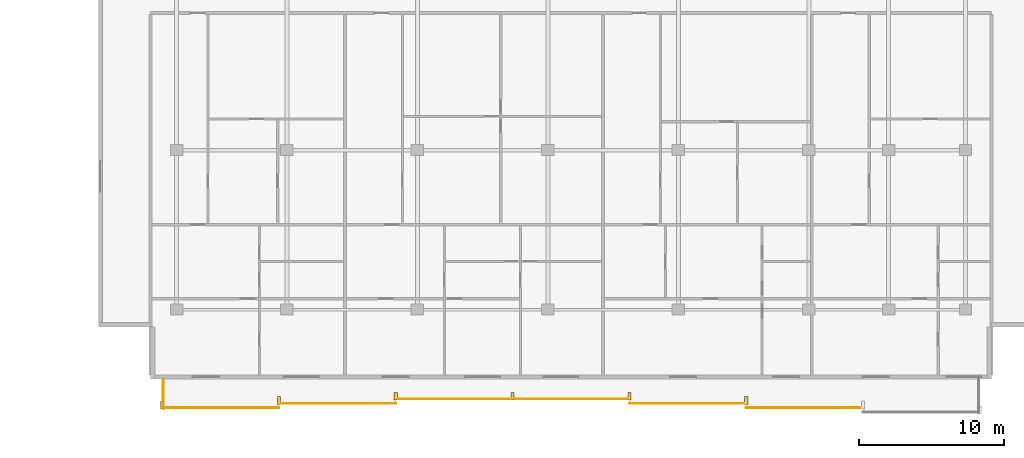
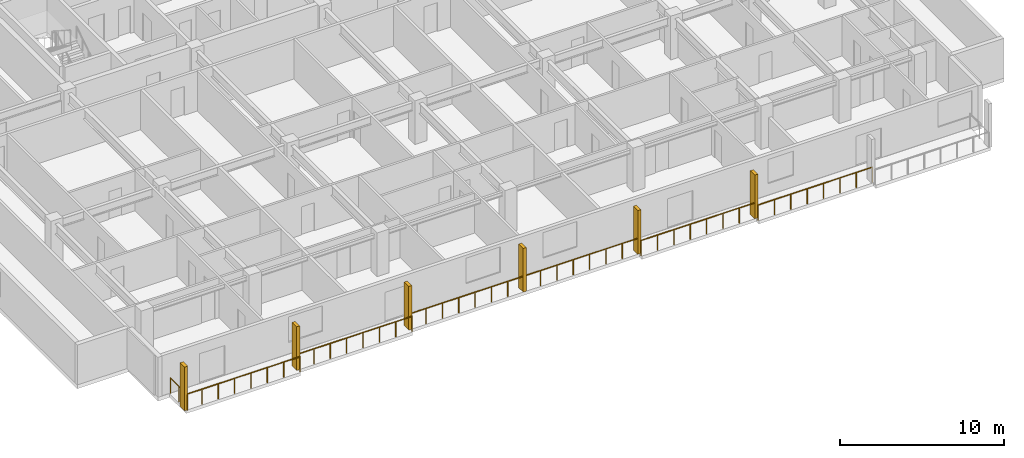
# One storey, part 18 of 22: 6 railings, 6 shading devices.
"""IFC4 building model written with IfcOpenShell, lengths in metres."""

import ifcopenshell
import ifcopenshell.guid

model = None  # the IFC model being written
_history = None  # IfcOwnerHistory: only IFC2X3 demands one
_inside = {}  # id of a spatial element -> (the spatial element, [elements in it])
_under = {}  # id of a project, library or spatial element -> (it, [spatial elements below it])
_declared = {}  # id of a project -> (the project, [libraries it declares])
_typed = {}  # id of a type object -> (the type object, [elements of that type])
_made_of = {}  # id of a material, layer set ... -> (it, [elements and type objects made of it])


def new_model(schema):
    """Start an empty IFC model of exactly this schema.

    Asked for "IFC4X3", IfcOpenShell would pick the latest addendum, in which some entities
    have other attributes; the version numbers below select the first issue.
    IFC2X3 requires an IfcOwnerHistory on every rooted entity: one is made here for all.
    """
    global model, _history
    if schema == "IFC4X3":
        model = ifcopenshell.file(schema_version=(4, 3, 0, 0))
    else:
        model = ifcopenshell.file(schema=schema)
    _inside.clear()
    _under.clear()
    _declared.clear()
    _typed.clear()
    _made_of.clear()
    _history = None
    if model.schema == "IFC2X3":
        org = make("IfcOrganization", Name="unknown")
        user = make(
            "IfcPersonAndOrganization",
            ThePerson=make("IfcPerson", FamilyName="unknown"),
            TheOrganization=org,
        )
        app = make(
            "IfcApplication",
            ApplicationDeveloper=org,
            Version="unknown",
            ApplicationFullName="unknown",
            ApplicationIdentifier="unknown",
        )
        _history = make(
            "IfcOwnerHistory",
            OwningUser=user,
            OwningApplication=app,
            ChangeAction="ADDED",
            CreationDate=0,
        )
    return model


def make(cls, **values):
    """One entity of the class cls with the attributes given. An attribute that is None is left unset."""
    return model.create_entity(
        cls, **{name: value for name, value in values.items() if value is not None}
    )


def rooted(cls, **values):
    """An entity with a GlobalId (a new one), such as an element, a storey or a relation."""
    return make(cls, GlobalId=ifcopenshell.guid.new(), OwnerHistory=_history, **values)


def si_unit(unit_type, name, prefix=None):
    """IfcSIUnit, for example si_unit("LENGTHUNIT", "METRE", prefix="MILLI")."""
    return make("IfcSIUnit", UnitType=unit_type, Prefix=prefix, Name=name)


def assignment(units):
    """IfcUnitAssignment: the units of a project."""
    return None if units is None else make("IfcUnitAssignment", Units=units)


def point(xyz):
    """IfcCartesianPoint."""
    return None if xyz is None else make("IfcCartesianPoint", Coordinates=xyz)


def direction(xyz):
    """IfcDirection."""
    return None if xyz is None else make("IfcDirection", DirectionRatios=xyz)


def frame(location, z_axis=None, x_axis=None):
    """IfcAxis2Placement3D, a coordinate frame: its origin and axes. An axis left out is left unset."""
    return make(
        "IfcAxis2Placement3D",
        Location=point(location),
        Axis=direction(z_axis),
        RefDirection=direction(x_axis),
    )


def frame_2d(location, x_axis=None):
    """IfcAxis2Placement2D, a coordinate frame in the plane: its origin and x axis."""
    return make(
        "IfcAxis2Placement2D", Location=point(location), RefDirection=direction(x_axis)
    )


def origin():
    """The frame at (0, 0, 0) with its axes left unset."""
    return frame((0.0, 0.0, 0.0))


def origin_2d():
    """The frame at (0, 0) in the plane with its x axis left unset."""
    return frame_2d((0.0, 0.0))


def place(relative_to, where):
    """IfcLocalPlacement: puts the frame where relative to a parent placement (None: the world)."""
    return make(
        "IfcLocalPlacement", PlacementRelTo=relative_to, RelativePlacement=where
    )


def context(
    kind, dimensions, precision=None, world=None, true_north=None, identifier=None
):
    """IfcGeometricRepresentationContext, for example the 3D "Model" context."""
    return make(
        "IfcGeometricRepresentationContext",
        ContextIdentifier=identifier,
        ContextType=kind,
        CoordinateSpaceDimension=dimensions,
        Precision=precision,
        WorldCoordinateSystem=world,
        TrueNorth=true_north,
    )


def subcontext(parent, identifier, kind, view, scale=None):
    """IfcGeometricRepresentationSubContext, for example "Body" below "Model"."""
    return make(
        "IfcGeometricRepresentationSubContext",
        ContextIdentifier=identifier,
        ContextType=kind,
        ParentContext=parent,
        TargetScale=scale,
        TargetView=view,
    )


def project(units=None, contexts=None):
    """IfcProject with its units and contexts."""
    return rooted(
        "IfcProject",
        Name="project",
        RepresentationContexts=contexts,
        UnitsInContext=assignment(units),
    )


def spatial(cls, under=None, at=None, **own):
    """A site, building, storey or space (cls), placed at a placement, below another one or the project."""
    s = rooted(cls, ObjectPlacement=at, **own)
    if under is not None:
        _under.setdefault(under.id(), (under, []))[1].append(s)
    return s


def profile(cls, at=None, kind="AREA", **sizes):
    """A parametric profile (cls). Its sizes go by their IFC names, for example OverallWidth=200.0."""
    return make(cls, ProfileType=kind, Position=at, **sizes)


def rectangle(**sizes):
    """IfcRectangleProfileDef."""
    return profile("IfcRectangleProfileDef", **sizes)


def circle(**sizes):
    """IfcCircleProfileDef."""
    return profile("IfcCircleProfileDef", **sizes)


def extrude(swept, where, along, depth):
    """IfcExtrudedAreaSolid: the profile swept, set in the frame where, extruded along a direction by depth."""
    return make(
        "IfcExtrudedAreaSolid",
        SweptArea=swept,
        Position=where,
        ExtrudedDirection=direction(along),
        Depth=depth,
    )


def shape(context_of_items, identifier, shape_type, items):
    """IfcShapeRepresentation: the items that make up one representation, for example the "Body"."""
    return make(
        "IfcShapeRepresentation",
        ContextOfItems=context_of_items,
        RepresentationIdentifier=identifier,
        RepresentationType=shape_type,
        Items=items,
    )


def material(Name=None, Category=None):
    """IfcMaterial."""
    return make("IfcMaterial", Name=Name, Category=Category)


def made_of(thing, what):
    """Note that an element or type object is made of a material, layer set ...; save() writes the relation."""
    if what is not None:
        _made_of.setdefault(what.id(), (what, []))[1].append(thing)
    return thing


def type_object(cls, material=None, **own):
    """A type object (cls), such as IfcWallType, which elements share."""
    return made_of(rooted(cls, **own), material)


def element(
    cls,
    number,
    at=None,
    inside=None,
    cuts=None,
    type_object=None,
    material=None,
    context=None,
    identifier="Body",
    shape_type=None,
    held_by="IfcProductDefinitionShape",
    body=None,
    shapes=None,
    **own,
):
    """One element of the class cls, such as IfcWall. Its Tag is "e" and its number.

    at: its placement. inside: the storey or other place that contains it. cuts: it is an
    opening in that element (IfcRelVoidsElement). A single representation is given by context,
    identifier, shape_type and body (its items); several are given by shapes. held_by: the class
    of the entity that holds the representations. save() writes the other relations.
    """
    e = rooted(cls, Tag="e%d" % number, ObjectPlacement=at, **own)
    if body is not None:
        shapes = [shape(context, identifier, shape_type, body)]
    if shapes is not None:
        e.Representation = make(held_by, Representations=shapes)
    if inside is not None:
        _inside.setdefault(inside.id(), (inside, []))[1].append(e)
    if cuts is not None:
        rooted(
            "IfcRelVoidsElement", RelatingBuildingElement=cuts, RelatedOpeningElement=e
        )
    if type_object is not None:
        _typed.setdefault(type_object.id(), (type_object, []))[1].append(e)
    return made_of(e, material)


def aggregate(whole, parts):
    """IfcRelAggregates: a whole, such as a stair, and the parts it consists of."""
    return rooted("IfcRelAggregates", RelatingObject=whole, RelatedObjects=parts)


def save(model, path):
    """Write the relations noted so far, then the file.

    IfcRelAggregates (storeys below a building ...), IfcRelContainedInSpatialStructure (elements
    in a storey), IfcRelDefinesByType, IfcRelAssociatesMaterial and IfcRelDeclares: one each for
    every whole, place, type object, material and project.
    """
    for whole, parts in _under.values():
        aggregate(whole, parts)
    for where, things in _inside.values():
        rooted(
            "IfcRelContainedInSpatialStructure",
            RelatedElements=things,
            RelatingStructure=where,
        )
    for kind, things in _typed.values():
        rooted("IfcRelDefinesByType", RelatedObjects=things, RelatingType=kind)
    for what, things in _made_of.values():
        rooted("IfcRelAssociatesMaterial", RelatedObjects=things, RelatingMaterial=what)
    for by, libraries in _declared.values():
        rooted("IfcRelDeclares", RelatingContext=by, RelatedDefinitions=libraries)
    model.write(path)


model = new_model("IFC4")

# Units and contexts
model_context = context("Model", 3, precision=1e-05, world=origin(), true_north=direction((0.0, 1.0)))
body_context = subcontext(model_context, "Body", "Model", "MODEL_VIEW")
ifc_project = project(units=[si_unit("LENGTHUNIT", "METRE"), si_unit("AREAUNIT", "SQUARE_METRE"), si_unit("VOLUMEUNIT", "CUBIC_METRE"), si_unit("PLANEANGLEUNIT", "RADIAN"), si_unit("MASSUNIT", "GRAM", prefix="KILO")], contexts=[model_context])

# Site, building, storey
site_placement = place(None, origin())
site = spatial("IfcSite", under=ifc_project, at=site_placement, CompositionType="ELEMENT")
building_placement = place(site_placement, origin())
building = spatial("IfcBuilding", under=site, at=building_placement, Name="Korimba Cascade Residences", CompositionType="ELEMENT")
storey_placement = place(building_placement, frame((0.0, 0.0, 84.050048828125)))
storey = spatial("IfcBuildingStorey", under=building, at=storey_placement, Name="L23", CompositionType="ELEMENT", Elevation=84.050048828125)

# Railings
ifc_material_1 = material(Name="Laminated Glass and Bronze Balustrade", Category="glass")
railing_type = type_object("IfcRailingType", Name="RLG-LOG-1150", PredefinedType="BALUSTRADE", material=ifc_material_1)
for number, where, name in (
    (1, (73.5, -10.969970703125, 0.0), "L23 Perimeter Guardrail RLG-L23-T2-LOG-01"),
    (2, (81.55712890625, -10.669921875, 0.0), "L23 Perimeter Guardrail RLG-L23-T2-LOG-02"),
):
    element("IfcRailing", number, at=place(storey_placement, frame(where)), inside=storey, type_object=railing_type, Name=name, PredefinedType="BALUSTRADE", context=body_context, shape_type="SweptSolid", body=[
        extrude(circle(Radius=0.02392578125, at=origin_2d()), frame((0.0, 0.0, 1.1259765625), z_axis=(1.0, 0.0, 0.0), x_axis=(0.0, 1.0, 0.0)), (0.0, 0.0, 1.0), 8.05712890625),
        extrude(circle(Radius=0.02099609375, at=origin_2d()), origin(), (0.0, 0.0, 1.0), 1.101806640625),
        extrude(circle(Radius=0.02099609375, at=origin_2d()), frame((1.151123046875, 0.0, 0.0)), (0.0, 0.0, 1.0), 1.101806640625),
        extrude(circle(Radius=0.02099609375, at=origin_2d()), frame((2.302001953125, 0.0, 0.0)), (0.0, 0.0, 1.0), 1.101806640625),
        extrude(circle(Radius=0.02099609375, at=origin_2d()), frame((3.453125, 0.0, 0.0)), (0.0, 0.0, 1.0), 1.101806640625),
        extrude(circle(Radius=0.02099609375, at=origin_2d()), frame((4.60400390625, 0.0, 0.0)), (0.0, 0.0, 1.0), 1.101806640625),
        extrude(circle(Radius=0.02099609375, at=origin_2d()), frame((5.755126953125, 0.0, 0.0)), (0.0, 0.0, 1.0), 1.101806640625),
        extrude(circle(Radius=0.02099609375, at=origin_2d()), frame((6.906005859375, 0.0, 0.0)), (0.0, 0.0, 1.0), 1.101806640625),
        extrude(circle(Radius=0.02099609375, at=origin_2d()), frame((8.05712890625, 0.0, 0.0)), (0.0, 0.0, 1.0), 1.101806640625),
    ])
railing_1_placement = place(storey_placement, frame((89.6142578125, -10.3701171875, 0.0)))
element("IfcRailing", 3, at=railing_1_placement, inside=storey, type_object=railing_type, Name="L23 Perimeter Guardrail RLG-L23-T2-LOG-03", PredefinedType="BALUSTRADE", context=body_context, shape_type="SweptSolid", body=[
    extrude(circle(Radius=0.02392578125, at=origin_2d()), frame((0.0, 0.0, 1.1259765625), z_axis=(1.0, 0.0, 0.0), x_axis=(0.0, 1.0, 0.0)), (0.0, 0.0, 1.0), 16.1142578125),
    extrude(circle(Radius=0.02099609375, at=origin_2d()), origin(), (0.0, 0.0, 1.0), 1.101806640625),
    extrude(circle(Radius=0.02099609375, at=origin_2d()), frame((1.151123046875, 0.0, 0.0)), (0.0, 0.0, 1.0), 1.101806640625),
    extrude(circle(Radius=0.02099609375, at=origin_2d()), frame((2.302001953125, 0.0, 0.0)), (0.0, 0.0, 1.0), 1.101806640625),
    extrude(circle(Radius=0.02099609375, at=origin_2d()), frame((3.453125, 0.0, 0.0)), (0.0, 0.0, 1.0), 1.101806640625),
    extrude(circle(Radius=0.02099609375, at=origin_2d()), frame((4.60400390625, 0.0, 0.0)), (0.0, 0.0, 1.0), 1.101806640625),
    extrude(circle(Radius=0.02099609375, at=origin_2d()), frame((5.755126953125, 0.0, 0.0)), (0.0, 0.0, 1.0), 1.101806640625),
    extrude(circle(Radius=0.02099609375, at=origin_2d()), frame((6.906005859375, 0.0, 0.0)), (0.0, 0.0, 1.0), 1.101806640625),
    extrude(circle(Radius=0.02099609375, at=origin_2d()), frame((8.05712890625, 0.0, 0.0)), (0.0, 0.0, 1.0), 1.101806640625),
    extrude(circle(Radius=0.02099609375, at=origin_2d()), frame((9.208251953125, 0.0, 0.0)), (0.0, 0.0, 1.0), 1.101806640625),
    extrude(circle(Radius=0.02099609375, at=origin_2d()), frame((10.359130859375, 0.0, 0.0)), (0.0, 0.0, 1.0), 1.101806640625),
    extrude(circle(Radius=0.02099609375, at=origin_2d()), frame((11.51025390625, 0.0, 0.0)), (0.0, 0.0, 1.0), 1.101806640625),
    extrude(circle(Radius=0.02099609375, at=origin_2d()), frame((12.6611328125, 0.0, 0.0)), (0.0, 0.0, 1.0), 1.101806640625),
    extrude(circle(Radius=0.02099609375, at=origin_2d()), frame((13.812255859375, 0.0, 0.0)), (0.0, 0.0, 1.0), 1.101806640625),
    extrude(circle(Radius=0.02099609375, at=origin_2d()), frame((14.963134765625, 0.0, 0.0)), (0.0, 0.0, 1.0), 1.101806640625),
    extrude(circle(Radius=0.02099609375, at=origin_2d()), frame((16.1142578125, 0.0, 0.0)), (0.0, 0.0, 1.0), 1.101806640625),
])
railing_2_placement = place(storey_placement, frame((105.728515625, -10.669921875, 0.0)))
element("IfcRailing", 4, at=railing_2_placement, inside=storey, type_object=railing_type, Name="L23 Perimeter Guardrail RLG-L23-T2-LOG-04", PredefinedType="BALUSTRADE", context=body_context, shape_type="SweptSolid", body=[
    extrude(circle(Radius=0.02392578125, at=origin_2d()), frame((0.0, 0.0, 1.1259765625), z_axis=(1.0, 0.0, 0.0), x_axis=(0.0, 1.0, 0.0)), (0.0, 0.0, 1.0), 8.05712890625),
    extrude(circle(Radius=0.02099609375, at=origin_2d()), origin(), (0.0, 0.0, 1.0), 1.101806640625),
    extrude(circle(Radius=0.02099609375, at=origin_2d()), frame((1.151123046875, 0.0, 0.0)), (0.0, 0.0, 1.0), 1.101806640625),
    extrude(circle(Radius=0.02099609375, at=origin_2d()), frame((2.302001953125, 0.0, 0.0)), (0.0, 0.0, 1.0), 1.101806640625),
    extrude(circle(Radius=0.02099609375, at=origin_2d()), frame((3.453125, 0.0, 0.0)), (0.0, 0.0, 1.0), 1.101806640625),
    extrude(circle(Radius=0.02099609375, at=origin_2d()), frame((4.60400390625, 0.0, 0.0)), (0.0, 0.0, 1.0), 1.101806640625),
    extrude(circle(Radius=0.02099609375, at=origin_2d()), frame((5.755126953125, 0.0, 0.0)), (0.0, 0.0, 1.0), 1.101806640625),
    extrude(circle(Radius=0.02099609375, at=origin_2d()), frame((6.906005859375, 0.0, 0.0)), (0.0, 0.0, 1.0), 1.101806640625),
    extrude(circle(Radius=0.02099609375, at=origin_2d()), frame((8.05712890625, 0.0, 0.0)), (0.0, 0.0, 1.0), 1.101806640625),
])
railing_3_placement = place(storey_placement, frame((113.78564453125, -10.969970703125, 0.0)))
element("IfcRailing", 5, at=railing_3_placement, inside=storey, type_object=railing_type, Name="L23 Perimeter Guardrail RLG-L23-T2-LOG-05", PredefinedType="BALUSTRADE", context=body_context, shape_type="SweptSolid", body=[
    extrude(circle(Radius=0.02392578125, at=origin_2d()), frame((0.0, 0.0, 1.1259765625), z_axis=(1.0, 0.0, 0.0), x_axis=(0.0, 1.0, 0.0)), (0.0, 0.0, 1.0), 8.057373046875),
    extrude(circle(Radius=0.02099609375, at=origin_2d()), origin(), (0.0, 0.0, 1.0), 1.101806640625),
    extrude(circle(Radius=0.02099609375, at=origin_2d()), frame((1.151123046875, 0.0, 0.0)), (0.0, 0.0, 1.0), 1.101806640625),
    extrude(circle(Radius=0.02099609375, at=origin_2d()), frame((2.302001953125, 0.0, 0.0)), (0.0, 0.0, 1.0), 1.101806640625),
    extrude(circle(Radius=0.02099609375, at=origin_2d()), frame((3.453125, 0.0, 0.0)), (0.0, 0.0, 1.0), 1.101806640625),
    extrude(circle(Radius=0.02099609375, at=origin_2d()), frame((4.604248046875, 0.0, 0.0)), (0.0, 0.0, 1.0), 1.101806640625),
    extrude(circle(Radius=0.02099609375, at=origin_2d()), frame((5.75537109375, 0.0, 0.0)), (0.0, 0.0, 1.0), 1.101806640625),
    extrude(circle(Radius=0.02099609375, at=origin_2d()), frame((6.90625, 0.0, 0.0)), (0.0, 0.0, 1.0), 1.101806640625),
    extrude(circle(Radius=0.02099609375, at=origin_2d()), frame((8.057373046875, 0.0, 0.0)), (0.0, 0.0, 1.0), 1.101806640625),
])
railing_4_placement = place(storey_placement, frame((73.580078125, -9.0, 0.0)))
element("IfcRailing", 6, at=railing_4_placement, inside=storey, type_object=railing_type, Name="L23 Perimeter Guardrail RLG-L23-T2-LOG-08", PredefinedType="BALUSTRADE", context=body_context, shape_type="SweptSolid", body=[
    extrude(circle(Radius=0.02392578125, at=origin_2d()), frame((0.0, 0.0, 1.1259765625), z_axis=(0.0, -1.0, 0.0), x_axis=(1.0, 0.0, 0.0)), (0.0, 0.0, 1.0), 2.050048828125),
    extrude(circle(Radius=0.02099609375, at=origin_2d()), origin(), (0.0, 0.0, 1.0), 1.101806640625),
    extrude(circle(Radius=0.02099609375, at=origin_2d()), frame((0.0, -1.02490234375, 0.0)), (0.0, 0.0, 1.0), 1.101806640625),
    extrude(circle(Radius=0.02099609375, at=origin_2d()), frame((0.0, -2.050048828125, 0.0)), (0.0, 0.0, 1.0), 1.101806640625),
])

# Shading devices
ifc_material_2 = material(Name="Honed Sandstone Precast Fin", Category="masonry")
shading_device_type = type_object("IfcShadingDeviceType", Name="SHD-FIN-550", PredefinedType="USERDEFINED", material=ifc_material_2)
for number, where, z_axis, x_axis, name in (
    (7, (73.5, -10.77490234375, 0.0), (0.0, 0.0, 1.0), (1.0, 0.0, 0.0), "L23 T2 Warm-Stone Loggia Fin 1"),
    (8, (81.55712890625, -10.47509765625, 0.0), (0.0, 0.0, 1.0), (1.0, 0.0, 0.0), "L23 T2 Warm-Stone Loggia Fin 2"),
    (9, (89.6142578125, -10.175048828125, 0.0), (0.0, 0.0, 1.0), (1.0, 0.0, 0.0), "L23 T2 Warm-Stone Loggia Fin 3"),
    (10, (97.67138671875, -10.175048828125, 0.0), (0.0, 0.0, 1.0), (1.0, 0.0, 0.0), "L23 T2 Warm-Stone Loggia Fin 4"),
    (11, (105.728515625, -10.175048828125, 0.0), (0.0, 0.0, 1.0), (1.0, 0.0, 0.0), "L23 T2 Warm-Stone Loggia Fin 5"),
    (12, (113.78564453125, -10.47509765625, 0.0), (0.0, 0.0, 1.0), (1.0, 0.0, 0.0), "L23 T2 Warm-Stone Loggia Fin 6"),
):
    element("IfcShadingDevice", number, at=place(storey_placement, frame(where, z_axis=z_axis, x_axis=x_axis)), inside=storey, type_object=shading_device_type, Name=name, ObjectType="FIN", PredefinedType="USERDEFINED", context=body_context, shape_type="SweptSolid", body=[
        extrude(rectangle(XDim=0.219970703125, YDim=0.550048828125, at=origin_2d()), origin(), (0.0, 0.0, 1.0), 3.25),
    ])

save(model, "model.ifc")
